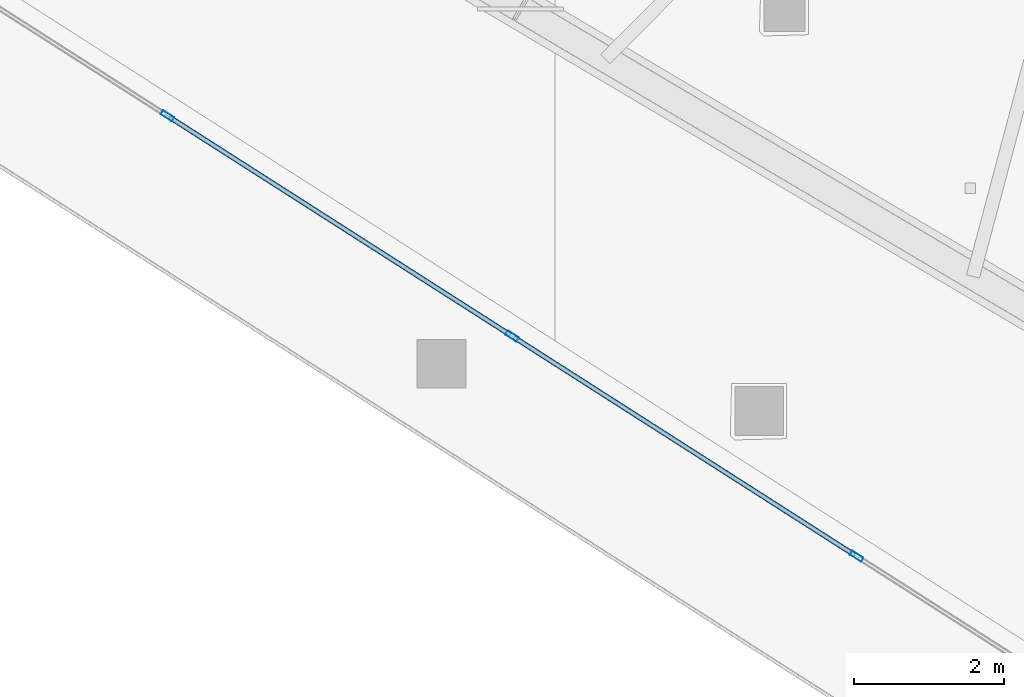
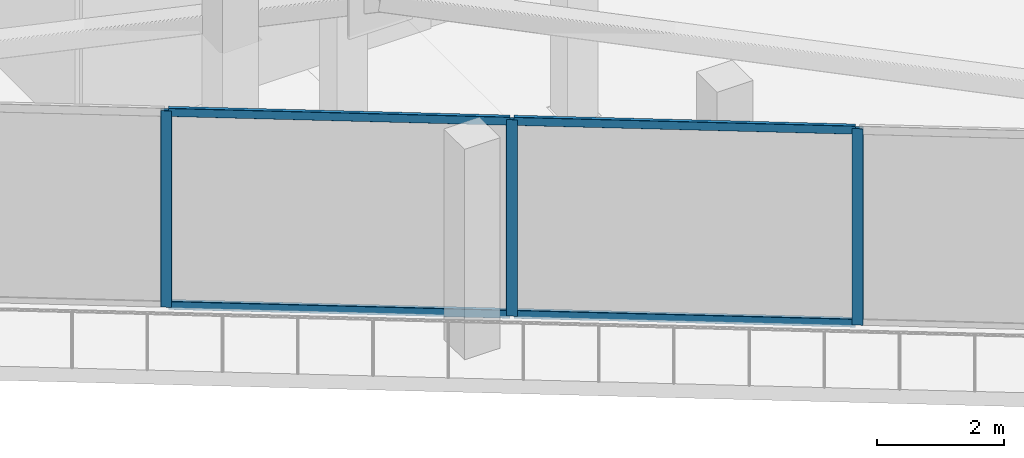
# One storey, part 2 of 40: 7 members, 1 element without a shape of its own.
"""IFC4 building model written with IfcOpenShell, lengths in metres."""

from ifc_helpers import new_model, si_unit, direction, frame, origin, origin_2d, place, context, subcontext, project, spatial, hollow_rectangle, extrude, material, layer, layer_set, material_profile, profile_set, type_object, element, aggregate, save


model = new_model("IFC4")

# Units and contexts
model_context = context("Model", 3, precision=1e-05, world=origin(), true_north=direction((0.0, 1.0)))
body_context = subcontext(model_context, "Body", "Model", "MODEL_VIEW")
ifc_project = project(units=[si_unit("LENGTHUNIT", "METRE"), si_unit("AREAUNIT", "SQUARE_METRE"), si_unit("VOLUMEUNIT", "CUBIC_METRE"), si_unit("PLANEANGLEUNIT", "RADIAN"), si_unit("MASSUNIT", "GRAM", prefix="KILO")], contexts=[model_context])

# Site, building, storey
site_placement = place(None, origin())
site = spatial("IfcSite", under=ifc_project, at=site_placement, CompositionType="ELEMENT")
building_placement = place(site_placement, origin())
building = spatial("IfcBuilding", under=site, at=building_placement, Name="Qorvath Tower", CompositionType="ELEMENT")
storey_placement = place(building_placement, frame((0.0, 0.0, 138.14990234375)))
storey = spatial("IfcBuildingStorey", under=building, at=storey_placement, Name="L31", CompositionType="ELEMENT", Elevation=138.14990234375)

# Curtain wall, members
ifc_material_1 = material(Name="Anodised aluminium and triple low-E glass", Category="aluminium")
ifc_layer = layer(ifc_material_1, 0.179931640625)
ifc_layer_set = layer_set([ifc_layer], Name="CW-SYS-3")
curtain_wall_type = type_object("IfcCurtainWallType", Name="CW-SYS-3", PredefinedType="NOTDEFINED", material=ifc_layer_set)
curtain_wall_placement = place(storey_placement, origin())
curtain_wall = element("IfcCurtainWall", 1, at=curtain_wall_placement, inside=storey, type_object=curtain_wall_type, Name="Curtain Wall CW-3 CW-T-L31-2.1", PredefinedType="NOTDEFINED")
ifc_material_2 = material(Name="Anodised aluminium 6063-T6", Category="aluminium")
ifc_material_profile_1 = material_profile(ifc_material_2, hollow_rectangle(XDim=0.06494140625, YDim=0.179931640625, WallThickness=0.00341796875, InnerFilletRadius=0.00341796875, OuterFilletRadius=0.007080078125, at=origin_2d()), Name="CWM 180x65")
ifc_profile_set_1 = profile_set([ifc_material_profile_1], Name="Anodised aluminium 6063-T6")
member_type_1 = type_object("IfcMemberType", Name="CWM-180", PredefinedType="MULLION", material=ifc_profile_set_1)
member_1_placement = place(storey_placement, frame((-38.90625, -15.523193359375, 0.0), z_axis=(0.0, 0.0, 1.0), x_axis=(0.538534399095, 0.842603525385, 0.0)))
member_1 = element("IfcMember", 2, at=member_1_placement, type_object=member_type_1, Name="CW-3 mullion 5", PredefinedType="MULLION", context=body_context, shape_type="SweptSolid", body=[
    extrude(hollow_rectangle(XDim=0.06494140625, YDim=0.179931640625, WallThickness=0.00341796875, InnerFilletRadius=0.00341796875, OuterFilletRadius=0.007080078125, at=origin_2d()), origin(), (0.0, 0.0, 1.0), 3.780029296875),
])
member_2_placement = place(storey_placement, frame((-34.31103515625, -18.460205078125, 0.0), z_axis=(0.0, 0.0, 1.0), x_axis=(0.538534399095, 0.842603525385, 0.0)))
member_2 = element("IfcMember", 3, at=member_2_placement, type_object=member_type_1, Name="CW-3 mullion 6", PredefinedType="MULLION", context=body_context, shape_type="SweptSolid", body=[
    extrude(hollow_rectangle(XDim=0.06494140625, YDim=0.179931640625, WallThickness=0.00341796875, InnerFilletRadius=0.00341796875, OuterFilletRadius=0.007080078125, at=origin_2d()), origin(), (0.0, 0.0, 1.0), 3.780029296875),
])
member_3_placement = place(storey_placement, frame((-29.716064453125, -21.39697265625, 0.0), z_axis=(0.0, 0.0, 1.0), x_axis=(0.538534399095, 0.842603525385, 0.0)))
member_3 = element("IfcMember", 4, at=member_3_placement, type_object=member_type_1, Name="CW-3 mullion 7", PredefinedType="MULLION", context=body_context, shape_type="SweptSolid", body=[
    extrude(hollow_rectangle(XDim=0.06494140625, YDim=0.179931640625, WallThickness=0.00341796875, InnerFilletRadius=0.00341796875, OuterFilletRadius=0.007080078125, at=origin_2d()), origin(), (0.0, 0.0, 1.0), 3.780029296875),
])
ifc_material_3 = material(Name="Anodised aluminium 6063-T6", Category="aluminium")
ifc_material_profile_2 = material_profile(ifc_material_3, hollow_rectangle(XDim=0.06494140625, YDim=0.159912109375, WallThickness=0.00341796875, InnerFilletRadius=0.00341796875, OuterFilletRadius=0.007080078125, at=origin_2d()), Name="CWT 160x65")
ifc_profile_set_2 = profile_set([ifc_material_profile_2], Name="Anodised aluminium 6063-T6")
member_type_2 = type_object("IfcMemberType", Name="CWT-160", PredefinedType="USERDEFINED", material=ifc_profile_set_2)
member_4_placement = place(storey_placement, frame((-38.87890625, -15.540771484375, 0.032470703125), z_axis=(0.842602030071, -0.538536738691, 0.0), x_axis=(0.538536738691, 0.842602030071, 0.0)))
member_4 = element("IfcMember", 5, at=member_4_placement, type_object=member_type_2, Name="CW-3 transom 5.1", ObjectType="TRANSOM", PredefinedType="USERDEFINED", context=body_context, shape_type="SweptSolid", body=[
    extrude(hollow_rectangle(XDim=0.06494140625, YDim=0.159912109375, WallThickness=0.00341796875, InnerFilletRadius=0.00341796875, OuterFilletRadius=0.007080078125, at=origin_2d()), origin(), (0.0, 0.0, 1.0), 5.388427734375),
])
member_5_placement = place(storey_placement, frame((-38.87890625, -15.540771484375, 3.74755859375), z_axis=(0.842602030071, -0.538536738691, 0.0), x_axis=(0.538536738691, 0.842602030071, 0.0)))
member_5 = element("IfcMember", 6, at=member_5_placement, type_object=member_type_2, Name="CW-3 transom 5.2", ObjectType="TRANSOM", PredefinedType="USERDEFINED", context=body_context, shape_type="SweptSolid", body=[
    extrude(hollow_rectangle(XDim=0.06494140625, YDim=0.159912109375, WallThickness=0.00341796875, InnerFilletRadius=0.00341796875, OuterFilletRadius=0.007080078125, at=origin_2d()), origin(), (0.0, 0.0, 1.0), 5.388427734375),
])
member_6_placement = place(storey_placement, frame((-34.28369140625, -18.4775390625, 0.032470703125), z_axis=(0.842602030071, -0.538536738691, 0.0), x_axis=(0.538536738691, 0.842602030071, 0.0)))
member_6 = element("IfcMember", 7, at=member_6_placement, type_object=member_type_2, Name="CW-3 transom 6.1", ObjectType="TRANSOM", PredefinedType="USERDEFINED", context=body_context, shape_type="SweptSolid", body=[
    extrude(hollow_rectangle(XDim=0.06494140625, YDim=0.159912109375, WallThickness=0.00341796875, InnerFilletRadius=0.00341796875, OuterFilletRadius=0.007080078125, at=origin_2d()), origin(), (0.0, 0.0, 1.0), 5.388427734375),
])
member_7_placement = place(storey_placement, frame((-34.28369140625, -18.4775390625, 3.74755859375), z_axis=(0.842602030071, -0.538536738691, 0.0), x_axis=(0.538536738691, 0.842602030071, 0.0)))
member_7 = element("IfcMember", 8, at=member_7_placement, type_object=member_type_2, Name="CW-3 transom 6.2", ObjectType="TRANSOM", PredefinedType="USERDEFINED", context=body_context, shape_type="SweptSolid", body=[
    extrude(hollow_rectangle(XDim=0.06494140625, YDim=0.159912109375, WallThickness=0.00341796875, InnerFilletRadius=0.00341796875, OuterFilletRadius=0.007080078125, at=origin_2d()), origin(), (0.0, 0.0, 1.0), 5.388427734375),
])
aggregate(curtain_wall, [member_1, member_2, member_3, member_4, member_5, member_6, member_7])

save(model, "model.ifc")
